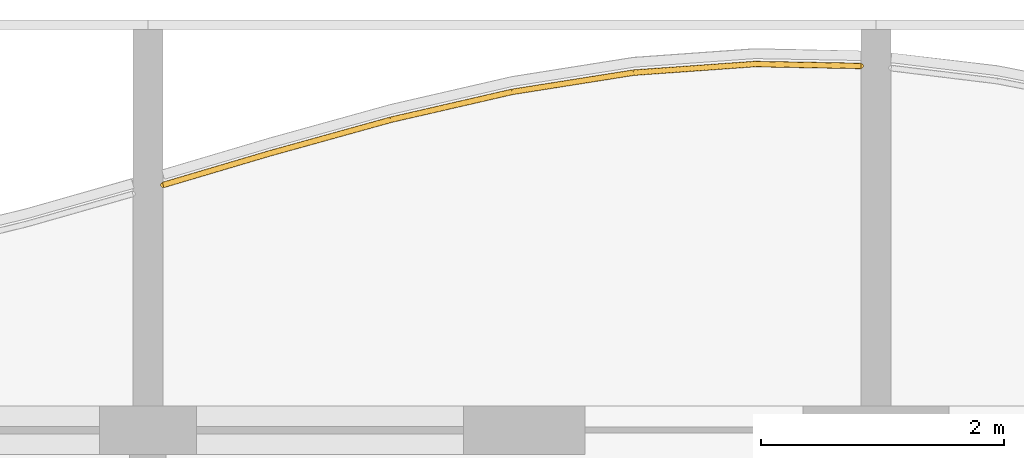
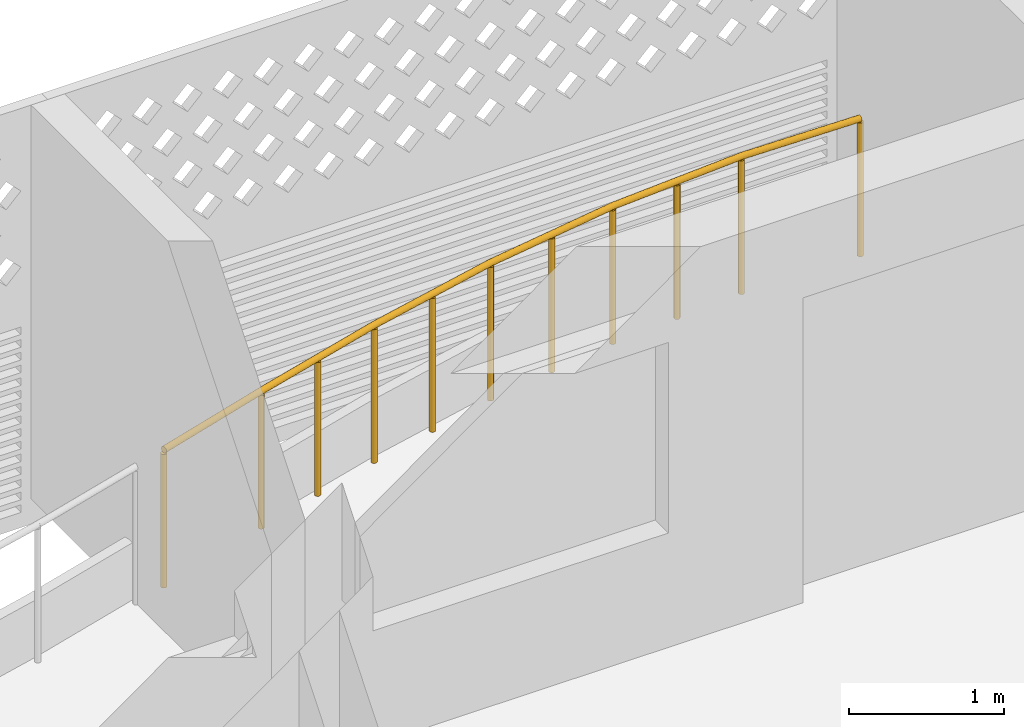
# One storey, part 19 of 32: 1 railing.
"""IFC4 building model written with IfcOpenShell, lengths in metres."""

from ifc_helpers import new_model, si_unit, direction, frame, origin, origin_2d, place, context, subcontext, project, spatial, circle, extrude, material, type_object, element, save


model = new_model("IFC4")

# Units and contexts
model_context = context("Model", 3, precision=1e-05, world=origin(), true_north=direction((0.0, 1.0)))
body_context = subcontext(model_context, "Body", "Model", "MODEL_VIEW")
ifc_project = project(units=[si_unit("LENGTHUNIT", "METRE"), si_unit("AREAUNIT", "SQUARE_METRE"), si_unit("VOLUMEUNIT", "CUBIC_METRE"), si_unit("PLANEANGLEUNIT", "RADIAN"), si_unit("MASSUNIT", "GRAM", prefix="KILO")], contexts=[model_context])

# Site, building, storey
site_placement = place(None, origin())
site = spatial("IfcSite", under=ifc_project, at=site_placement, CompositionType="ELEMENT")
building_placement = place(site_placement, origin())
building = spatial("IfcBuilding", under=site, at=building_placement, Name="Poui Terraces", CompositionType="ELEMENT")
storey_placement = place(building_placement, frame((0.0, 0.0, 152.10009765625)))
storey = spatial("IfcBuildingStorey", under=building, at=storey_placement, Name="L42", CompositionType="ELEMENT", Elevation=152.10009765625)

# Railing
ifc_material = material(Name="Painted steel fretwork", Category="steel")
railing_type = type_object("IfcRailingType", Name="BALCONY GUARD 1100", PredefinedType="GUARDRAIL", material=ifc_material)
railing_placement = place(storey_placement, frame((24.125, 44.420654296875, 0.0)))
element("IfcRailing", 1, at=railing_placement, inside=storey, type_object=railing_type, Name="BALCONY GUARD", PredefinedType="GUARDRAIL", context=body_context, shape_type="SweptSolid", body=[
    extrude(circle(Radius=0.02392578125, at=origin_2d()), frame((0.0, 0.0, 1.076171875), z_axis=(0.9587927149, 0.284106546658, 0.0), x_axis=(-0.284106546658, 0.9587927149, 0.0)), (0.0, 0.0, 1.0), 0.91259765625),
    extrude(circle(Radius=0.02392578125, at=origin_2d()), frame((0.875, 0.25927734375, 1.076171875), z_axis=(0.963565078544, 0.267473997633, 0.0), x_axis=(-0.267473997633, 0.963565078544, 0.0)), (0.0, 0.0, 1.0), 1.037841796875),
    extrude(circle(Radius=0.02392578125, at=origin_2d()), frame((1.875, 0.536865234375, 1.076171875), z_axis=(0.974559344395, 0.224129614849, 0.0), x_axis=(-0.224129614849, 0.974559344395, 0.0)), (0.0, 0.0, 1.0), 1.026123046875),
    extrude(circle(Radius=0.02392578125, at=origin_2d()), frame((2.875, 0.766845703125, 1.076171875), z_axis=(0.9876787513, 0.156494997459, 0.0), x_axis=(-0.156494997459, 0.9876787513, 0.0)), (0.0, 0.0, 1.0), 1.012451171875),
    extrude(circle(Radius=0.02392578125, at=origin_2d()), frame((3.875, 0.92529296875, 1.076171875), z_axis=(0.997485823051, 0.07086630237, 0.0), x_axis=(-0.07086630237, 0.997485823051, 0.0)), (0.0, 0.0, 1.0), 1.00244140625),
    extrude(circle(Radius=0.02392578125, at=origin_2d()), frame((4.875, 0.996337890625, 1.076171875), z_axis=(0.999840599345, -0.017854296417, 0.0), x_axis=(0.017854296417, 0.999840599345, 0.0)), (0.0, 0.0, 1.0), 0.875244140625),
    extrude(circle(Radius=0.02099609375, at=origin_2d()), origin(), (0.0, 0.0, 1.0), 1.052001953125),
    extrude(circle(Radius=0.02099609375, at=origin_2d()), frame((0.875, 0.25927734375, 0.0)), (0.0, 0.0, 1.0), 1.052001953125),
    extrude(circle(Radius=0.02099609375, at=origin_2d()), frame((1.375, 0.39794921875, 0.0)), (0.0, 0.0, 1.0), 1.052001953125),
    extrude(circle(Radius=0.02099609375, at=origin_2d()), frame((1.875, 0.536865234375, 0.0)), (0.0, 0.0, 1.0), 1.052001953125),
    extrude(circle(Radius=0.02099609375, at=origin_2d()), frame((2.375, 0.65185546875, 0.0)), (0.0, 0.0, 1.0), 1.052001953125),
    extrude(circle(Radius=0.02099609375, at=origin_2d()), frame((2.875, 0.766845703125, 0.0)), (0.0, 0.0, 1.0), 1.052001953125),
    extrude(circle(Radius=0.02099609375, at=origin_2d()), frame((3.375, 0.84619140625, 0.0)), (0.0, 0.0, 1.0), 1.052001953125),
    extrude(circle(Radius=0.02099609375, at=origin_2d()), frame((3.875, 0.92529296875, 0.0)), (0.0, 0.0, 1.0), 1.052001953125),
    extrude(circle(Radius=0.02099609375, at=origin_2d()), frame((4.375, 0.9609375, 0.0)), (0.0, 0.0, 1.0), 1.052001953125),
    extrude(circle(Radius=0.02099609375, at=origin_2d()), frame((4.875, 0.996337890625, 0.0)), (0.0, 0.0, 1.0), 1.052001953125),
    extrude(circle(Radius=0.02099609375, at=origin_2d()), frame((5.75, 0.980712890625, 0.0)), (0.0, 0.0, 1.0), 1.052001953125),
])

save(model, "model.ifc")
